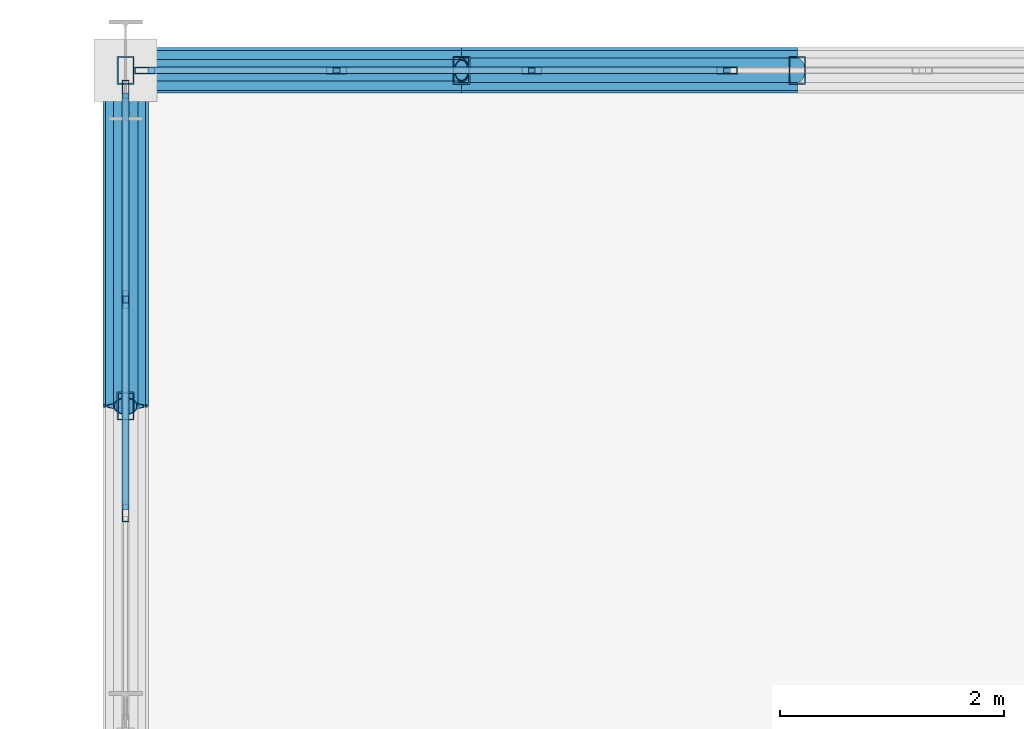
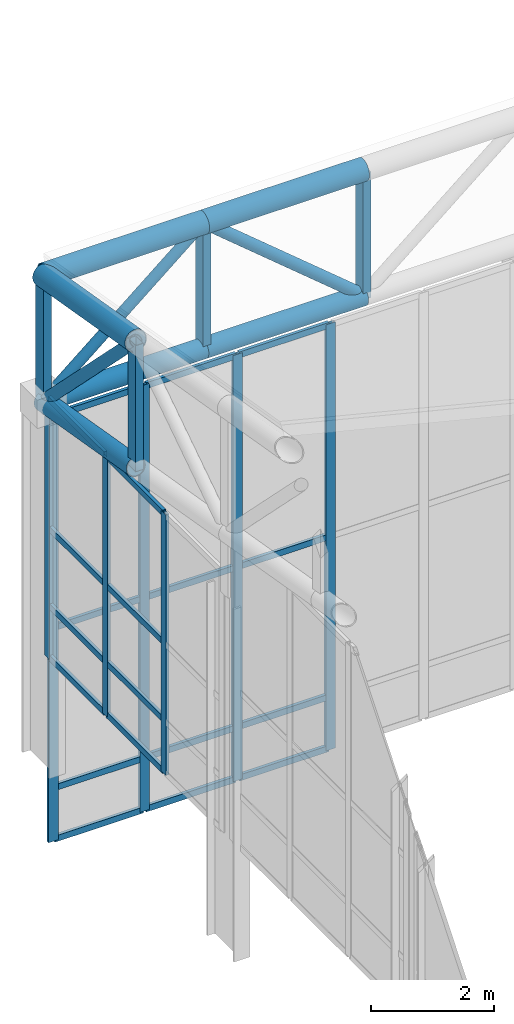
# One storey, part 102 of 239: 40 members, 2 elements without a shape of their own.
"""IFC4 building model written with IfcOpenShell, lengths in metres."""

from ifc_helpers import new_model, si_unit, direction, frame, origin, origin_2d, place, context, subcontext, project, spatial, hollow_rectangle, hollow_circle, extrude, material, material_profile, profile_set, type_object, element, aggregate, save


model = new_model("IFC4")

# Units and contexts
model_context = context("Model", 3, precision=1e-05, world=origin(), true_north=direction((0.0, 1.0)))
body_context = subcontext(model_context, "Body", "Model", "MODEL_VIEW")
ifc_project = project(units=[si_unit("LENGTHUNIT", "METRE"), si_unit("AREAUNIT", "SQUARE_METRE"), si_unit("VOLUMEUNIT", "CUBIC_METRE"), si_unit("PLANEANGLEUNIT", "RADIAN"), si_unit("MASSUNIT", "GRAM", prefix="KILO")], contexts=[model_context])

# Site, building, storey
site_placement = place(None, origin())
site = spatial("IfcSite", under=ifc_project, at=site_placement, CompositionType="ELEMENT")
building_placement = place(site_placement, origin())
building = spatial("IfcBuilding", under=site, at=building_placement, Name="Kaldris Quays Convention Centre", CompositionType="ELEMENT")
storey_placement = place(building_placement, frame((0.0, 0.0, 11.39990234375)))
storey = spatial("IfcBuildingStorey", under=building, at=storey_placement, Name="L02", CompositionType="ELEMENT", Elevation=11.39990234375)

# Curtain wall, members
ifc_material_1 = material(Name="Anodized aluminium AW-6060 and triple glazing", Category="aluminium")
curtain_wall_type = type_object("IfcCurtainWallType", Name="UNITISED CURTAIN WALL CW03", PredefinedType="NOTDEFINED", material=ifc_material_1)
curtain_wall_1_placement = place(storey_placement, origin())
curtain_wall_1 = element("IfcCurtainWall", 1, at=curtain_wall_1_placement, inside=storey, type_object=curtain_wall_type, Name="L02 Unitised Curtain Wall CW03 226", PredefinedType="NOTDEFINED")
ifc_material_2 = material(Name="Anodized aluminium AW-6060", Category="aluminium")
ifc_material_profile_1 = material_profile(ifc_material_2, hollow_rectangle(XDim=0.06005859375, YDim=0.159912109375, WallThickness=0.00390625, at=origin_2d()), Name="RHS 160x60x4")
ifc_profile_set_1 = profile_set([ifc_material_profile_1], Name="Anodized aluminium AW-6060")
member_type_1 = type_object("IfcMemberType", Name="CURTAIN MULLION CWM1", PredefinedType="MULLION", material=ifc_profile_set_1)
member_1_placement = place(storey_placement, frame((20.0, 136.046630859375, 2.195068359375), z_axis=(0.0, 0.0, 1.0), x_axis=(-1.0, 0.0, 0.0)))
member_1 = element("IfcMember", 2, at=member_1_placement, type_object=member_type_1, Name="CW03 mullion 2", PredefinedType="MULLION", context=body_context, shape_type="SweptSolid", body=[
    extrude(hollow_rectangle(XDim=0.06005859375, YDim=0.159912109375, WallThickness=0.00390625, at=origin_2d()), origin(), (0.0, 0.0, 1.0), 5.1689453125),
])
member_2_placement = place(storey_placement, frame((20.0, 137.953369140625, 2.195068359375), z_axis=(0.0, 0.0, 1.0), x_axis=(-1.0, 0.0, 0.0)))
member_2 = element("IfcMember", 3, at=member_2_placement, type_object=member_type_1, Name="CW03 mullion 3", PredefinedType="MULLION", context=body_context, shape_type="SweptSolid", body=[
    extrude(hollow_rectangle(XDim=0.06005859375, YDim=0.159912109375, WallThickness=0.00390625, at=origin_2d()), origin(), (0.0, 0.0, 1.0), 5.1689453125),
])
member_3_placement = place(storey_placement, frame((20.0, 139.830078125, 2.195068359375), z_axis=(0.0, 0.0, 1.0), x_axis=(-1.0, 0.0, 0.0)))
member_3 = element("IfcMember", 4, at=member_3_placement, type_object=member_type_1, Name="CW03 mullion 4", PredefinedType="MULLION", context=body_context, shape_type="SweptSolid", body=[
    extrude(hollow_rectangle(XDim=0.06005859375, YDim=0.159912109375, WallThickness=0.00390625, at=origin_2d()), origin(), (0.0, 0.0, 1.0), 5.1689453125),
])

curtain_wall_2_placement = place(storey_placement, origin())
curtain_wall_2 = element("IfcCurtainWall", 5, at=curtain_wall_2_placement, inside=storey, type_object=curtain_wall_type, Name="L02 Unitised Curtain Wall CW03 228", PredefinedType="NOTDEFINED")
ifc_material_profile_2 = material_profile(ifc_material_2, hollow_rectangle(XDim=0.06005859375, YDim=0.179931640625, WallThickness=0.0048828125, at=origin_2d()), Name="RHS 180x60x5")
ifc_profile_set_2 = profile_set([ifc_material_profile_2], Name="Anodized aluminium AW-6060")
member_type_2 = type_object("IfcMemberType", Name="CURTAIN MULLION CWM2", PredefinedType="MULLION", material=ifc_profile_set_2)
member_4_placement = place(storey_placement, frame((20.169921875, 140.0, -1.60498046875), z_axis=(0.0, 0.0, 1.0), x_axis=(0.0, 1.0, 0.0)))
member_4 = element("IfcMember", 6, at=member_4_placement, type_object=member_type_2, Name="CW03 mullion 1", PredefinedType="MULLION", context=body_context, shape_type="SweptSolid", body=[
    extrude(hollow_rectangle(XDim=0.06005859375, YDim=0.179931640625, WallThickness=0.0048828125, at=origin_2d()), origin(), (0.0, 0.0, 1.0), 8.455078125),
])
member_5_placement = place(storey_placement, frame((21.884033203125, 140.0, -1.60498046875), z_axis=(0.0, 0.0, 1.0), x_axis=(0.0, 1.0, 0.0)))
member_5 = element("IfcMember", 7, at=member_5_placement, type_object=member_type_2, Name="CW03 mullion 2", PredefinedType="MULLION", context=body_context, shape_type="SweptSolid", body=[
    extrude(hollow_rectangle(XDim=0.06005859375, YDim=0.179931640625, WallThickness=0.0048828125, at=origin_2d()), origin(), (0.0, 0.0, 1.0), 8.455078125),
])
member_6_placement = place(storey_placement, frame((23.6279296875, 140.0, -1.60498046875), z_axis=(0.0, 0.0, 1.0), x_axis=(0.0, 1.0, 0.0)))
member_6 = element("IfcMember", 8, at=member_6_placement, type_object=member_type_2, Name="CW03 mullion 3", PredefinedType="MULLION", context=body_context, shape_type="SweptSolid", body=[
    extrude(hollow_rectangle(XDim=0.06005859375, YDim=0.179931640625, WallThickness=0.0048828125, at=origin_2d()), origin(), (0.0, 0.0, 1.0), 8.455078125),
])
member_7_placement = place(storey_placement, frame((25.3720703125, 140.0, -1.60498046875), z_axis=(0.0, 0.0, 1.0), x_axis=(0.0, 1.0, 0.0)))
member_7 = element("IfcMember", 9, at=member_7_placement, type_object=member_type_2, Name="CW03 mullion 4", PredefinedType="MULLION", context=body_context, shape_type="SweptSolid", body=[
    extrude(hollow_rectangle(XDim=0.06005859375, YDim=0.179931640625, WallThickness=0.0048828125, at=origin_2d()), origin(), (0.0, 0.0, 1.0), 8.455078125),
])

# Member
ifc_material_profile_3 = material_profile(ifc_material_2, hollow_rectangle(XDim=0.06005859375, YDim=0.1201171875, WallThickness=0.00390625, at=origin_2d()), Name="RHS 120x60x4")
ifc_profile_set_3 = profile_set([ifc_material_profile_3], Name="Anodized aluminium AW-6060")
member_type_3 = type_object("IfcMemberType", Name="CURTAIN TRANSOM CWT1", PredefinedType="USERDEFINED", material=ifc_profile_set_3)
member_8_placement = place(storey_placement, frame((20.0, 136.07666015625, 2.22509765625), z_axis=(0.0, 1.0, 0.0), x_axis=(-1.0, 0.0, 0.0)))
member_8 = element("IfcMember", 10, at=member_8_placement, type_object=member_type_3, Name="CW03 transom 2.1", ObjectType="TRANSOM", PredefinedType="USERDEFINED", context=body_context, shape_type="SweptSolid", body=[
    extrude(hollow_rectangle(XDim=0.06005859375, YDim=0.1201171875, WallThickness=0.00390625, at=origin_2d()), origin(), (0.0, 0.0, 1.0), 1.8466796875),
])

member_9_placement = place(storey_placement, frame((20.0, 136.07666015625, 3.2451171875), z_axis=(0.0, 1.0, 0.0), x_axis=(-1.0, 0.0, 0.0)))
member_9 = element("IfcMember", 11, at=member_9_placement, type_object=member_type_3, Name="CW03 transom 2.2", ObjectType="TRANSOM", PredefinedType="USERDEFINED", context=body_context, shape_type="SweptSolid", body=[
    extrude(hollow_rectangle(XDim=0.06005859375, YDim=0.1201171875, WallThickness=0.00390625, at=origin_2d()), origin(), (0.0, 0.0, 1.0), 1.8466796875),
])

member_10_placement = place(storey_placement, frame((20.0, 136.07666015625, 4.780029296875), z_axis=(0.0, 1.0, 0.0), x_axis=(-1.0, 0.0, 0.0)))
member_10 = element("IfcMember", 12, at=member_10_placement, type_object=member_type_3, Name="CW03 transom 2.3", ObjectType="TRANSOM", PredefinedType="USERDEFINED", context=body_context, shape_type="SweptSolid", body=[
    extrude(hollow_rectangle(XDim=0.06005859375, YDim=0.1201171875, WallThickness=0.00390625, at=origin_2d()), origin(), (0.0, 0.0, 1.0), 1.8466796875),
])

member_11_placement = place(storey_placement, frame((20.0, 136.07666015625, 7.333984375), z_axis=(0.0, 1.0, 0.0), x_axis=(-1.0, 0.0, 0.0)))
member_11 = element("IfcMember", 13, at=member_11_placement, type_object=member_type_3, Name="CW03 transom 2.4", ObjectType="TRANSOM", PredefinedType="USERDEFINED", context=body_context, shape_type="SweptSolid", body=[
    extrude(hollow_rectangle(XDim=0.06005859375, YDim=0.1201171875, WallThickness=0.00390625, at=origin_2d()), origin(), (0.0, 0.0, 1.0), 1.8466796875),
])

member_12_placement = place(storey_placement, frame((20.0, 137.9833984375, 2.22509765625), z_axis=(0.0, 1.0, 0.0), x_axis=(-1.0, 0.0, 0.0)))
member_12 = element("IfcMember", 14, at=member_12_placement, type_object=member_type_3, Name="CW03 transom 3.1", ObjectType="TRANSOM", PredefinedType="USERDEFINED", context=body_context, shape_type="SweptSolid", body=[
    extrude(hollow_rectangle(XDim=0.06005859375, YDim=0.1201171875, WallThickness=0.00390625, at=origin_2d()), origin(), (0.0, 0.0, 1.0), 1.816650390625),
])

member_13_placement = place(storey_placement, frame((20.0, 137.9833984375, 3.2451171875), z_axis=(0.0, 1.0, 0.0), x_axis=(-1.0, 0.0, 0.0)))
member_13 = element("IfcMember", 15, at=member_13_placement, type_object=member_type_3, Name="CW03 transom 3.2", ObjectType="TRANSOM", PredefinedType="USERDEFINED", context=body_context, shape_type="SweptSolid", body=[
    extrude(hollow_rectangle(XDim=0.06005859375, YDim=0.1201171875, WallThickness=0.00390625, at=origin_2d()), origin(), (0.0, 0.0, 1.0), 1.816650390625),
])

member_14_placement = place(storey_placement, frame((20.0, 137.9833984375, 4.780029296875), z_axis=(0.0, 1.0, 0.0), x_axis=(-1.0, 0.0, 0.0)))
member_14 = element("IfcMember", 16, at=member_14_placement, type_object=member_type_3, Name="CW03 transom 3.3", ObjectType="TRANSOM", PredefinedType="USERDEFINED", context=body_context, shape_type="SweptSolid", body=[
    extrude(hollow_rectangle(XDim=0.06005859375, YDim=0.1201171875, WallThickness=0.00390625, at=origin_2d()), origin(), (0.0, 0.0, 1.0), 1.816650390625),
])

member_15_placement = place(storey_placement, frame((20.0, 137.9833984375, 7.333984375), z_axis=(0.0, 1.0, 0.0), x_axis=(-1.0, 0.0, 0.0)))
member_15 = element("IfcMember", 17, at=member_15_placement, type_object=member_type_3, Name="CW03 transom 3.4", ObjectType="TRANSOM", PredefinedType="USERDEFINED", context=body_context, shape_type="SweptSolid", body=[
    extrude(hollow_rectangle(XDim=0.06005859375, YDim=0.1201171875, WallThickness=0.00390625, at=origin_2d()), origin(), (0.0, 0.0, 1.0), 1.816650390625),
])

aggregate(curtain_wall_1, [member_1, member_2, member_3, member_8, member_9, member_10, member_11, member_12, member_13, member_14, member_15])

member_16_placement = place(storey_placement, frame((20.199951171875, 140.0, -1.574951171875), z_axis=(1.0, 0.0, 0.0), x_axis=(0.0, 1.0, 0.0)))
member_16 = element("IfcMember", 18, at=member_16_placement, type_object=member_type_3, Name="CW03 transom 1.1", ObjectType="TRANSOM", PredefinedType="USERDEFINED", context=body_context, shape_type="SweptSolid", body=[
    extrude(hollow_rectangle(XDim=0.06005859375, YDim=0.1201171875, WallThickness=0.00390625, at=origin_2d()), origin(), (0.0, 0.0, 1.0), 1.654052734375),
])

member_17_placement = place(storey_placement, frame((20.199951171875, 140.0, -0.554931640625), z_axis=(1.0, 0.0, 0.0), x_axis=(0.0, 1.0, 0.0)))
member_17 = element("IfcMember", 19, at=member_17_placement, type_object=member_type_3, Name="CW03 transom 1.2", ObjectType="TRANSOM", PredefinedType="USERDEFINED", context=body_context, shape_type="SweptSolid", body=[
    extrude(hollow_rectangle(XDim=0.06005859375, YDim=0.1201171875, WallThickness=0.00390625, at=origin_2d()), origin(), (0.0, 0.0, 1.0), 1.654052734375),
])

member_18_placement = place(storey_placement, frame((20.199951171875, 140.0, 2.623046875), z_axis=(1.0, 0.0, 0.0), x_axis=(0.0, 1.0, 0.0)))
member_18 = element("IfcMember", 20, at=member_18_placement, type_object=member_type_3, Name="CW03 transom 1.3", ObjectType="TRANSOM", PredefinedType="USERDEFINED", context=body_context, shape_type="SweptSolid", body=[
    extrude(hollow_rectangle(XDim=0.06005859375, YDim=0.1201171875, WallThickness=0.00390625, at=origin_2d()), origin(), (0.0, 0.0, 1.0), 1.654052734375),
])

member_19_placement = place(storey_placement, frame((20.199951171875, 140.0, 6.820068359375), z_axis=(1.0, 0.0, 0.0), x_axis=(0.0, 1.0, 0.0)))
member_19 = element("IfcMember", 21, at=member_19_placement, type_object=member_type_3, Name="CW03 transom 1.4", ObjectType="TRANSOM", PredefinedType="USERDEFINED", context=body_context, shape_type="SweptSolid", body=[
    extrude(hollow_rectangle(XDim=0.06005859375, YDim=0.1201171875, WallThickness=0.00390625, at=origin_2d()), origin(), (0.0, 0.0, 1.0), 1.654052734375),
])

member_20_placement = place(storey_placement, frame((21.9140625, 140.0, -1.574951171875), z_axis=(1.0, 0.0, 0.0), x_axis=(0.0, 1.0, 0.0)))
member_20 = element("IfcMember", 22, at=member_20_placement, type_object=member_type_3, Name="CW03 transom 2.1", ObjectType="TRANSOM", PredefinedType="USERDEFINED", context=body_context, shape_type="SweptSolid", body=[
    extrude(hollow_rectangle(XDim=0.06005859375, YDim=0.1201171875, WallThickness=0.00390625, at=origin_2d()), origin(), (0.0, 0.0, 1.0), 1.683837890625),
])

member_21_placement = place(storey_placement, frame((21.9140625, 140.0, -0.554931640625), z_axis=(1.0, 0.0, 0.0), x_axis=(0.0, 1.0, 0.0)))
member_21 = element("IfcMember", 23, at=member_21_placement, type_object=member_type_3, Name="CW03 transom 2.2", ObjectType="TRANSOM", PredefinedType="USERDEFINED", context=body_context, shape_type="SweptSolid", body=[
    extrude(hollow_rectangle(XDim=0.06005859375, YDim=0.1201171875, WallThickness=0.00390625, at=origin_2d()), origin(), (0.0, 0.0, 1.0), 1.683837890625),
])

member_22_placement = place(storey_placement, frame((21.9140625, 140.0, 2.623046875), z_axis=(1.0, 0.0, 0.0), x_axis=(0.0, 1.0, 0.0)))
member_22 = element("IfcMember", 24, at=member_22_placement, type_object=member_type_3, Name="CW03 transom 2.3", ObjectType="TRANSOM", PredefinedType="USERDEFINED", context=body_context, shape_type="SweptSolid", body=[
    extrude(hollow_rectangle(XDim=0.06005859375, YDim=0.1201171875, WallThickness=0.00390625, at=origin_2d()), origin(), (0.0, 0.0, 1.0), 1.683837890625),
])

member_23_placement = place(storey_placement, frame((21.9140625, 140.0, 6.820068359375), z_axis=(1.0, 0.0, 0.0), x_axis=(0.0, 1.0, 0.0)))
member_23 = element("IfcMember", 25, at=member_23_placement, type_object=member_type_3, Name="CW03 transom 2.4", ObjectType="TRANSOM", PredefinedType="USERDEFINED", context=body_context, shape_type="SweptSolid", body=[
    extrude(hollow_rectangle(XDim=0.06005859375, YDim=0.1201171875, WallThickness=0.00390625, at=origin_2d()), origin(), (0.0, 0.0, 1.0), 1.683837890625),
])

member_24_placement = place(storey_placement, frame((23.657958984375, 140.0, -1.574951171875), z_axis=(1.0, 0.0, 0.0), x_axis=(0.0, 1.0, 0.0)))
member_24 = element("IfcMember", 26, at=member_24_placement, type_object=member_type_3, Name="CW03 transom 3.1", ObjectType="TRANSOM", PredefinedType="USERDEFINED", context=body_context, shape_type="SweptSolid", body=[
    extrude(hollow_rectangle(XDim=0.06005859375, YDim=0.1201171875, WallThickness=0.00390625, at=origin_2d()), origin(), (0.0, 0.0, 1.0), 1.68408203125),
])

member_25_placement = place(storey_placement, frame((23.657958984375, 140.0, -0.554931640625), z_axis=(1.0, 0.0, 0.0), x_axis=(0.0, 1.0, 0.0)))
member_25 = element("IfcMember", 27, at=member_25_placement, type_object=member_type_3, Name="CW03 transom 3.2", ObjectType="TRANSOM", PredefinedType="USERDEFINED", context=body_context, shape_type="SweptSolid", body=[
    extrude(hollow_rectangle(XDim=0.06005859375, YDim=0.1201171875, WallThickness=0.00390625, at=origin_2d()), origin(), (0.0, 0.0, 1.0), 1.68408203125),
])

member_26_placement = place(storey_placement, frame((23.657958984375, 140.0, 2.623046875), z_axis=(1.0, 0.0, 0.0), x_axis=(0.0, 1.0, 0.0)))
member_26 = element("IfcMember", 28, at=member_26_placement, type_object=member_type_3, Name="CW03 transom 3.3", ObjectType="TRANSOM", PredefinedType="USERDEFINED", context=body_context, shape_type="SweptSolid", body=[
    extrude(hollow_rectangle(XDim=0.06005859375, YDim=0.1201171875, WallThickness=0.00390625, at=origin_2d()), origin(), (0.0, 0.0, 1.0), 1.68408203125),
])

member_27_placement = place(storey_placement, frame((23.657958984375, 140.0, 6.820068359375), z_axis=(1.0, 0.0, 0.0), x_axis=(0.0, 1.0, 0.0)))
member_27 = element("IfcMember", 29, at=member_27_placement, type_object=member_type_3, Name="CW03 transom 3.4", ObjectType="TRANSOM", PredefinedType="USERDEFINED", context=body_context, shape_type="SweptSolid", body=[
    extrude(hollow_rectangle(XDim=0.06005859375, YDim=0.1201171875, WallThickness=0.00390625, at=origin_2d()), origin(), (0.0, 0.0, 1.0), 1.68408203125),
])

aggregate(curtain_wall_2, [member_4, member_5, member_6, member_7, member_16, member_17, member_18, member_19, member_20, member_21, member_22, member_23, member_24, member_25, member_26, member_27])

# Members
ifc_material_3 = material(Name="Steel S355J2H", Category="steel")
ifc_material_profile_4 = material_profile(ifc_material_3, hollow_circle(Radius=0.203125, WallThickness=0.01611328125, at=origin_2d()), Name="CHS 406.4x16")
ifc_profile_set_4 = profile_set([ifc_material_profile_4], Name="Steel S355J2H")
member_type_4 = type_object("IfcMemberType", Name="STRUCTURAL MEMBER SC01", PredefinedType="CHORD", material=ifc_profile_set_4)
for number, where, z_axis, x_axis, name in (
    (30, (20.0, 140.0, 9.671875), (1.0, 0.0, 0.0), (0.0, 1.0, 0.0), "SF-V1 Top Chord X 295"),
    (31, (23.0, 140.0, 9.671875), (1.0, 0.0, 0.0), (0.0, 1.0, 0.0), "SF-V1 Top Chord X 296"),
):
    element("IfcMember", number, at=place(storey_placement, frame(where, z_axis=z_axis, x_axis=x_axis)), inside=storey, type_object=member_type_4, Name=name, PredefinedType="CHORD", context=body_context, shape_type="SweptSolid", body=[
        extrude(hollow_circle(Radius=0.203125, WallThickness=0.01611328125, at=origin_2d()), origin(), (0.0, 0.0, 1.0), 3.0),
    ])
member_28_placement = place(storey_placement, frame((20.0, 137.0, 10.186279296875), z_axis=(0.0, 0.985615766076, -0.169001661712), x_axis=(-1.0, 0.0, 0.0)))
element("IfcMember", 32, at=member_28_placement, inside=storey, type_object=member_type_4, Name="SF-V1 Top Chord Y 364", PredefinedType="CHORD", context=body_context, shape_type="SweptSolid", body=[
    extrude(hollow_circle(Radius=0.203125, WallThickness=0.01611328125, at=origin_2d()), origin(), (0.0, 0.0, 1.0), 3.043701171875),
])
ifc_material_profile_5 = material_profile(ifc_material_3, hollow_circle(Radius=0.177734375, WallThickness=0.01611328125, at=origin_2d()), Name="CHS 355.6x16")
ifc_profile_set_5 = profile_set([ifc_material_profile_5], Name="Steel S355J2H")
member_type_5 = type_object("IfcMemberType", Name="STRUCTURAL MEMBER SC02", PredefinedType="CHORD", material=ifc_profile_set_5)
for number, where, z_axis, x_axis, name in (
    (33, (20.0, 140.0, 7.171875), (1.0, 0.0, 0.0), (0.0, 1.0, 0.0), "SF-V1 Bottom Chord X 295"),
    (34, (23.0, 140.0, 7.171875), (1.0, 0.0, 0.0), (0.0, 1.0, 0.0), "SF-V1 Bottom Chord X 296"),
):
    element("IfcMember", number, at=place(storey_placement, frame(where, z_axis=z_axis, x_axis=x_axis)), inside=storey, type_object=member_type_5, Name=name, PredefinedType="CHORD", context=body_context, shape_type="SweptSolid", body=[
        extrude(hollow_circle(Radius=0.177734375, WallThickness=0.01611328125, at=origin_2d()), origin(), (0.0, 0.0, 1.0), 3.0),
    ])
member_29_placement = place(storey_placement, frame((20.0, 137.0, 7.686279296875), z_axis=(0.0, 0.985615766076, -0.169001661712), x_axis=(-1.0, 0.0, 0.0)))
element("IfcMember", 35, at=member_29_placement, inside=storey, type_object=member_type_5, Name="SF-V1 Bottom Chord Y 364", PredefinedType="CHORD", context=body_context, shape_type="SweptSolid", body=[
    extrude(hollow_circle(Radius=0.177734375, WallThickness=0.01611328125, at=origin_2d()), origin(), (0.0, 0.0, 1.0), 3.043701171875),
])
ifc_material_profile_6 = material_profile(ifc_material_3, hollow_circle(Radius=0.109619140625, WallThickness=0.010009765625, at=origin_2d()), Name="CHS 219.1x10")
ifc_profile_set_6 = profile_set([ifc_material_profile_6], Name="Steel S355J2H")
member_type_6 = type_object("IfcMemberType", Name="STRUCTURAL MEMBER SWB1", PredefinedType="BRACE", material=ifc_profile_set_6)
member_30_placement = place(storey_placement, frame((26.0, 140.0, 7.171875), z_axis=(-0.768221279597, 0.0, 0.640184399664), x_axis=(0.0, -1.0, 0.0)))
element("IfcMember", 36, at=member_30_placement, inside=storey, type_object=member_type_6, Name="SF-V1 Web Diagonal X 296", PredefinedType="BRACE", context=body_context, shape_type="SweptSolid", body=[
    extrude(hollow_circle(Radius=0.109619140625, WallThickness=0.010009765625, at=origin_2d()), origin(), (0.0, 0.0, 1.0), 3.905029296875),
])
member_31_placement = place(storey_placement, frame((20.0, 140.0, 7.171875), z_axis=(0.0, -0.705411261057, 0.708798245465), x_axis=(1.0, 0.0, 0.0)))
element("IfcMember", 37, at=member_31_placement, inside=storey, type_object=member_type_6, Name="SF-V1 Web Diagonal Y 364", PredefinedType="BRACE", context=body_context, shape_type="SweptSolid", body=[
    extrude(hollow_circle(Radius=0.109619140625, WallThickness=0.010009765625, at=origin_2d()), origin(), (0.0, 0.0, 1.0), 4.2529296875),
])
ifc_material_profile_7 = material_profile(ifc_material_3, hollow_circle(Radius=0.096923828125, WallThickness=0.008056640625, at=origin_2d()), Name="CHS 193.7x8")
ifc_profile_set_7 = profile_set([ifc_material_profile_7], Name="Steel S355J2H")
member_type_7 = type_object("IfcMemberType", Name="STRUCTURAL MEMBER SWB3", PredefinedType="BRACE", material=ifc_profile_set_7)
member_32_placement = place(storey_placement, frame((20.0, 140.0, 7.171875), z_axis=(0.768221279597, 0.0, 0.640184399664), x_axis=(0.0, 1.0, 0.0)))
element("IfcMember", 38, at=member_32_placement, inside=storey, type_object=member_type_7, Name="SF-V1 Web Diagonal X 295", PredefinedType="BRACE", context=body_context, shape_type="SweptSolid", body=[
    extrude(hollow_circle(Radius=0.096923828125, WallThickness=0.008056640625, at=origin_2d()), origin(), (0.0, 0.0, 1.0), 3.905029296875),
])
ifc_material_profile_8 = material_profile(ifc_material_3, hollow_rectangle(XDim=0.14990234375, YDim=0.25, WallThickness=0.010009765625, at=origin_2d()), Name="RHS 250x150x10")
ifc_profile_set_8 = profile_set([ifc_material_profile_8], Name="Steel S355J2H")
member_type_8 = type_object("IfcMemberType", Name="STRUCTURAL MEMBER TTV1", PredefinedType="POST", material=ifc_profile_set_8)
member_33_placement = place(storey_placement, frame((20.0, 137.0, 7.686279296875), z_axis=(0.0, 0.0, 1.0), x_axis=(1.0, 0.0, 0.0)))
element("IfcMember", 39, at=member_33_placement, inside=storey, type_object=member_type_8, Name="SF-V1 Space-Frame Post 28", PredefinedType="POST", context=body_context, shape_type="SweptSolid", body=[
    extrude(hollow_rectangle(XDim=0.14990234375, YDim=0.25, WallThickness=0.010009765625, at=origin_2d()), origin(), (0.0, 0.0, 1.0), 2.5),
])
member_34_placement = place(storey_placement, frame((20.0, 140.0, 6.994140625), z_axis=(0.0, 0.0, 1.0), x_axis=(1.0, 0.0, 0.0)))
element("IfcMember", 40, at=member_34_placement, inside=storey, type_object=member_type_8, Name="SF-V1 Space-Frame Post 29", PredefinedType="POST", context=body_context, shape_type="SweptSolid", body=[
    extrude(hollow_rectangle(XDim=0.14990234375, YDim=0.25, WallThickness=0.010009765625, at=origin_2d()), origin(), (0.0, 0.0, 1.0), 2.677734375),
])
for number, where, z_axis, x_axis, name in (
    (41, (23.0, 140.0, 7.171875), (0.0, 0.0, 1.0), (1.0, 0.0, 0.0), "SF-V1 Space-Frame Post 37"),
    (42, (26.0, 140.0, 7.171875), (0.0, 0.0, 1.0), (1.0, 0.0, 0.0), "SF-V1 Space-Frame Post 45"),
):
    element("IfcMember", number, at=place(storey_placement, frame(where, z_axis=z_axis, x_axis=x_axis)), inside=storey, type_object=member_type_8, Name=name, PredefinedType="POST", context=body_context, shape_type="SweptSolid", body=[
        extrude(hollow_rectangle(XDim=0.14990234375, YDim=0.25, WallThickness=0.010009765625, at=origin_2d()), origin(), (0.0, 0.0, 1.0), 2.5),
    ])

save(model, "model.ifc")
